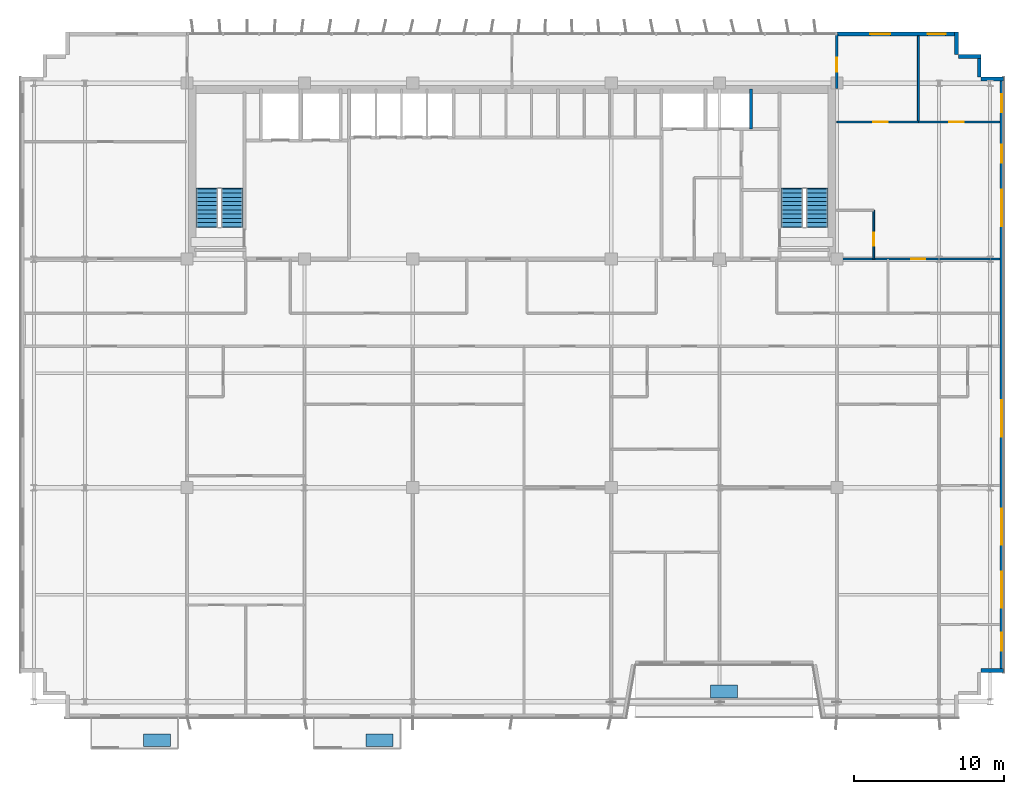
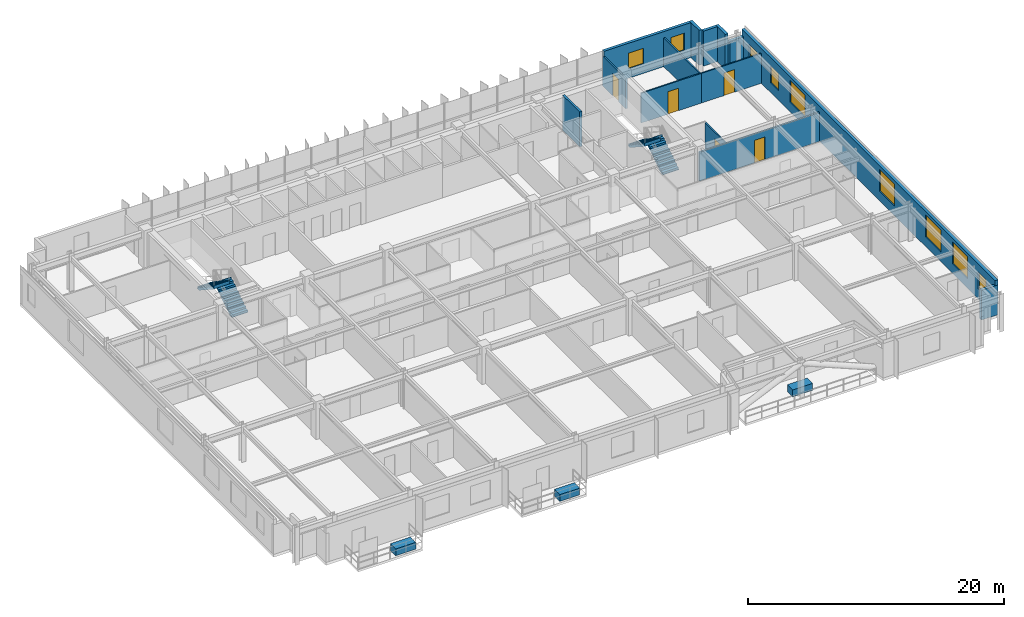
# One storey, part 19 of 22: 14 walls, 9 windows, 5 doors, 4 stair flights, 3 discrete accessories, 14 openings, 2 elements without a shape of their own.
"""IFC4 building model written with IfcOpenShell, lengths in metres."""

from ifc_helpers import new_model, si_unit, direction, frame, frame_2d, origin, origin_2d, place, context, subcontext, project, spatial, polyline, rectangle, outline, extrude, source, transform, mapped, material, layer, layer_set, type_object, element, fill, aggregate, save


model = new_model("IFC4")

# Units and contexts
model_context = context("Model", 3, precision=1e-05, world=origin(), true_north=direction((0.0, 1.0)))
body_context = subcontext(model_context, "Body", "Model", "MODEL_VIEW")
ifc_project = project(units=[si_unit("LENGTHUNIT", "METRE"), si_unit("AREAUNIT", "SQUARE_METRE"), si_unit("VOLUMEUNIT", "CUBIC_METRE"), si_unit("PLANEANGLEUNIT", "RADIAN"), si_unit("MASSUNIT", "GRAM", prefix="KILO")], contexts=[model_context])

# Site, building, storey
site_placement = place(None, origin())
site = spatial("IfcSite", under=ifc_project, at=site_placement, CompositionType="ELEMENT")
building_placement = place(site_placement, origin())
building = spatial("IfcBuilding", under=site, at=building_placement, Name="Trelvane Seafront Commons", CompositionType="ELEMENT")
storey_placement = place(building_placement, frame((0.0, 0.0, 121.300048828125)))
storey = spatial("IfcBuildingStorey", under=building, at=storey_placement, Name="L31", CompositionType="ELEMENT", Elevation=121.300048828125)

# Wall, openings, windows
ifc_material_1 = material(Name="Precast concrete C40/50", Category="concrete")
ifc_layer_1 = layer(ifc_material_1, 0.260009765625, Name="ARCH-WALL-EXT260")
ifc_layer_set_1 = layer_set([ifc_layer_1], Name="Precast concrete C40/50")
wall_type_1 = type_object("IfcWallType", Name="ARCH-WALL-EXT260", PredefinedType="SOLIDWALL", material=ifc_layer_set_1)
wall_1_placement = place(storey_placement, frame((58.800048828125, 48.3701171875, 0.0), z_axis=(0.0, 0.0, 1.0), x_axis=(1.0, 0.0, 0.0)))
wall_1 = element("IfcWall", 1, at=wall_1_placement, inside=storey, type_object=wall_type_1, Name="EW-L31-NE-0581", PredefinedType="SOLIDWALL", context=body_context, shape_type="SweptSolid", body=[
    extrude(rectangle(XDim=8.0, YDim=0.260009765625, at=frame_2d((4.0, 0.0))), origin(), (0.0, 0.0, 1.0), 3.33984375),
])
opening_1_placement = place(wall_1_placement, frame((2.208984375, 0.0, 0.89990234375)))
opening_1 = element("IfcOpeningElement", 2, at=opening_1_placement, cuts=wall_1, Name="Opening W09", PredefinedType="OPENING", context=body_context, shape_type="SweptSolid", body=[
    extrude(rectangle(XDim=1.35009765625, YDim=1.5, at=frame_2d((0.675048828125, 0.75))), frame((0.0, 0.139892578125, 0.0), z_axis=(0.0, -1.0, 0.0), x_axis=(1.0, 0.0, 0.0)), (0.0, 0.0, 1.0), 0.280029296875),
])
opening_2_placement = place(wall_1_placement, frame((6.032958984375, 0.0, 0.89990234375)))
opening_2 = element("IfcOpeningElement", 3, at=opening_2_placement, cuts=wall_1, Name="Opening W05", PredefinedType="OPENING", context=body_context, shape_type="SweptSolid", body=[
    extrude(rectangle(XDim=1.199951171875, YDim=1.64990234375, at=frame_2d((0.60009765625, 0.824951171875))), frame((0.0, 0.139892578125, 0.0), z_axis=(0.0, -1.0, 0.0), x_axis=(1.0, 0.0, 0.0)), (0.0, 0.0, 1.0), 0.280029296875),
])
ifc_material_2 = material(Name="Low-E coastal double glazing", Category="glass")
window_type_1 = type_object("IfcWindowType", Name="ARCH-WIN-W09", PartitioningType="SINGLE_PANEL", PredefinedType="WINDOW", material=ifc_material_2)
shared_shape_1 = source(origin(), body_context, "Body", "SweptSolid", [
    extrude(rectangle(XDim=1.35009765625, YDim=1.5, at=frame_2d((0.675048828125, 0.75))), frame((0.0, 0.030029296875, 0.0), z_axis=(0.0, -1.0, 0.0), x_axis=(1.0, 0.0, 0.0)), (0.0, 0.0, 1.0), 0.06005859375),
])
window_1_placement = place(opening_1_placement, origin())
window_1 = element("IfcWindow", 4, at=window_1_placement, inside=storey, type_object=window_type_1, Name="WIN-L31-00696", OverallHeight=1.5, OverallWidth=1.35009765625, PartitioningType="SINGLE_PANEL", PredefinedType="WINDOW", context=body_context, shape_type="MappedRepresentation", body=[
    mapped(shared_shape_1, transform((0.0, 0.0, 0.0), x_axis=(1.0, 0.0, 0.0), y_axis=(0.0, 1.0, 0.0), z_axis=(0.0, 0.0, 1.0), scale=1.0)),
])
fill(opening_1, window_1)
window_type_2 = type_object("IfcWindowType", Name="ARCH-WIN-W05", PartitioningType="SINGLE_PANEL", PredefinedType="WINDOW", material=ifc_material_2)
shared_shape_2 = source(origin(), body_context, "Body", "SweptSolid", [
    extrude(rectangle(XDim=1.199951171875, YDim=1.64990234375, at=frame_2d((0.60009765625, 0.824951171875))), frame((0.0, 0.030029296875, 0.0), z_axis=(0.0, -1.0, 0.0), x_axis=(1.0, 0.0, 0.0)), (0.0, 0.0, 1.0), 0.06005859375),
])
window_2_placement = place(opening_2_placement, origin())
window_2 = element("IfcWindow", 5, at=window_2_placement, inside=storey, type_object=window_type_2, Name="WIN-L31-00697", OverallHeight=1.64990234375, OverallWidth=1.199951171875, PartitioningType="SINGLE_PANEL", PredefinedType="WINDOW", context=body_context, shape_type="MappedRepresentation", body=[
    mapped(shared_shape_2, transform((0.0, 0.0, 0.0), x_axis=(1.0, 0.0, 0.0), y_axis=(0.0, 1.0, 0.0), z_axis=(0.0, 0.0, 1.0), scale=1.0)),
])
fill(opening_2, window_2)

# Walls
for number, where, z_axis, x_axis, name in (
    (6, (66.77001953125, 48.5, 0.0), (0.0, 0.0, 1.0), (0.0, -1.0, 0.0), "EW-L31-00590"),
    (7, (66.89990234375, 46.8701171875, 0.0), (0.0, 0.0, 1.0), (1.0, 0.0, 0.0), "EW-L31-00591"),
    (8, (68.27001953125, 47.0, 0.0), (0.0, 0.0, 1.0), (0.0, -1.0, 0.0), "EW-L31-00592"),
):
    element("IfcWall", number, at=place(storey_placement, frame(where, z_axis=z_axis, x_axis=x_axis)), inside=storey, type_object=wall_type_1, Name=name, PredefinedType="SOLIDWALL", context=body_context, shape_type="SweptSolid", body=[
        extrude(rectangle(XDim=1.5, YDim=0.260009765625, at=frame_2d((0.75, 0.0))), origin(), (0.0, 0.0, 1.0), 3.33984375),
    ])
wall_2_placement = place(storey_placement, frame((68.39990234375, 45.3701171875, 0.0), z_axis=(0.0, 0.0, 1.0), x_axis=(1.0, 0.0, 0.0)))
element("IfcWall", 9, at=wall_2_placement, inside=storey, type_object=wall_type_1, Name="EW-L31-00593", PredefinedType="SOLIDWALL", context=body_context, shape_type="SweptSolid", body=[
    extrude(rectangle(XDim=1.5, YDim=0.260009765625, at=frame_2d((0.75, 0.0))), origin(), (0.0, 0.0, 1.0), 2.751953125),
])

# Wall, openings, windows
wall_3_placement = place(storey_placement, frame((69.77001953125, 45.5, 0.0), z_axis=(0.0, 0.0, 1.0), x_axis=(0.0, -1.0, 0.0)))
wall_3 = element("IfcWall", 10, at=wall_3_placement, inside=storey, type_object=wall_type_1, Name="EW-L31-00594", PredefinedType="SOLIDWALL", context=body_context, shape_type="SweptSolid", body=[
    extrude(rectangle(XDim=39.60009765625, YDim=0.260009765625, at=frame_2d((19.800048828125, 0.0))), origin(), (0.0, 0.0, 1.0), 3.33984375),
])
opening_3_placement = place(wall_3_placement, frame((36.949951171875, 0.0, 0.919921875)))
opening_3 = element("IfcOpeningElement", 11, at=opening_3_placement, cuts=wall_3, Name="Opening W05", PredefinedType="OPENING", context=body_context, shape_type="SweptSolid", body=[
    extrude(rectangle(XDim=1.199951171875, YDim=1.64990234375, at=frame_2d((0.60009765625, 0.824951171875))), frame((0.0, 0.139892578125, 0.0), z_axis=(0.0, -1.0, 0.0), x_axis=(1.0, 0.0, 0.0)), (0.0, 0.0, 1.0), 0.280029296875),
])
opening_4_placement = place(wall_3_placement, frame((32.89990234375, 0.0, 0.919921875)))
opening_4 = element("IfcOpeningElement", 12, at=opening_4_placement, cuts=wall_3, Name="Opening W08", PredefinedType="OPENING", context=body_context, shape_type="SweptSolid", body=[
    extrude(rectangle(XDim=2.39990234375, YDim=2.10009765625, at=frame_2d((1.199951171875, 1.050048828125))), frame((0.0, 0.139892578125, 0.0), z_axis=(0.0, -1.0, 0.0), x_axis=(1.0, 0.0, 0.0)), (0.0, 0.0, 1.0), 0.280029296875),
])
opening_5_placement = place(wall_3_placement, frame((28.699951171875, 0.0, 0.919921875)))
opening_5 = element("IfcOpeningElement", 13, at=opening_5_placement, cuts=wall_3, Name="Opening W08", PredefinedType="OPENING", context=body_context, shape_type="SweptSolid", body=[
    extrude(rectangle(XDim=2.39990234375, YDim=2.10009765625, at=frame_2d((1.199951171875, 1.050048828125))), frame((0.0, 0.139892578125, 0.0), z_axis=(0.0, -1.0, 0.0), x_axis=(1.0, 0.0, 0.0)), (0.0, 0.0, 1.0), 0.280029296875),
])
opening_6_placement = place(wall_3_placement, frame((21.5, 0.0, 0.919921875)))
opening_6 = element("IfcOpeningElement", 14, at=opening_6_placement, cuts=wall_3, Name="Opening W08", PredefinedType="OPENING", context=body_context, shape_type="SweptSolid", body=[
    extrude(rectangle(XDim=2.39990234375, YDim=2.10009765625, at=frame_2d((1.199951171875, 1.050048828125))), frame((0.0, 0.139892578125, 0.0), z_axis=(0.0, -1.0, 0.0), x_axis=(1.0, 0.0, 0.0)), (0.0, 0.0, 1.0), 0.280029296875),
])
opening_7_placement = place(wall_3_placement, frame((7.5, 0.0, 0.919921875)))
opening_7 = element("IfcOpeningElement", 15, at=opening_7_placement, cuts=wall_3, Name="Opening W08", PredefinedType="OPENING", context=body_context, shape_type="SweptSolid", body=[
    extrude(rectangle(XDim=2.39990234375, YDim=2.10009765625, at=frame_2d((1.199951171875, 1.050048828125))), frame((0.0, 0.139892578125, 0.0), z_axis=(0.0, -1.0, 0.0), x_axis=(1.0, 0.0, 0.0)), (0.0, 0.0, 1.0), 0.280029296875),
])
opening_8_placement = place(wall_3_placement, frame((4.5, 0.0, 0.919921875)))
opening_8 = element("IfcOpeningElement", 16, at=opening_8_placement, cuts=wall_3, Name="Opening W05", PredefinedType="OPENING", context=body_context, shape_type="SweptSolid", body=[
    extrude(rectangle(XDim=1.199951171875, YDim=1.64990234375, at=frame_2d((0.60009765625, 0.824951171875))), frame((0.0, 0.139892578125, 0.0), z_axis=(0.0, -1.0, 0.0), x_axis=(1.0, 0.0, 0.0)), (0.0, 0.0, 1.0), 0.280029296875),
])
opening_9_placement = place(wall_3_placement, frame((1.14990234375, 0.0, 0.919921875)))
opening_9 = element("IfcOpeningElement", 17, at=opening_9_placement, cuts=wall_3, Name="Opening W05", PredefinedType="OPENING", context=body_context, shape_type="SweptSolid", body=[
    extrude(rectangle(XDim=1.199951171875, YDim=1.64990234375, at=frame_2d((0.60009765625, 0.824951171875))), frame((0.0, 0.139892578125, 0.0), z_axis=(0.0, -1.0, 0.0), x_axis=(1.0, 0.0, 0.0)), (0.0, 0.0, 1.0), 0.280029296875),
])
window_type_3 = type_object("IfcWindowType", Name="ARCH-WIN-W08", PartitioningType="SINGLE_PANEL", PredefinedType="WINDOW", material=ifc_material_2)
shared_shape_3 = source(origin(), body_context, "Body", "SweptSolid", [
    extrude(rectangle(XDim=2.39990234375, YDim=2.10009765625, at=frame_2d((1.199951171875, 1.050048828125))), frame((0.0, 0.030029296875, 0.0), z_axis=(0.0, -1.0, 0.0), x_axis=(1.0, 0.0, 0.0)), (0.0, 0.0, 1.0), 0.06005859375),
])
window_3_placement = place(opening_4_placement, origin())
window_3 = element("IfcWindow", 18, at=window_3_placement, inside=storey, type_object=window_type_3, Name="WIN-L31-EW-00705", OverallHeight=2.10009765625, OverallWidth=2.39990234375, PartitioningType="SINGLE_PANEL", PredefinedType="WINDOW", context=body_context, shape_type="MappedRepresentation", body=[
    mapped(shared_shape_3, transform((0.0, 0.0, 0.0), x_axis=(1.0, 0.0, 0.0), y_axis=(0.0, 1.0, 0.0), z_axis=(0.0, 0.0, 1.0), scale=1.0)),
])
fill(opening_4, window_3)
window_4_placement = place(opening_5_placement, origin())
window_4 = element("IfcWindow", 19, at=window_4_placement, inside=storey, type_object=window_type_3, Name="WIN-L31-EW-00706", OverallHeight=2.10009765625, OverallWidth=2.39990234375, PartitioningType="SINGLE_PANEL", PredefinedType="WINDOW", context=body_context, shape_type="MappedRepresentation", body=[
    mapped(shared_shape_3, transform((0.0, 0.0, 0.0), x_axis=(1.0, 0.0, 0.0), y_axis=(0.0, 1.0, 0.0), z_axis=(0.0, 0.0, 1.0), scale=1.0)),
])
fill(opening_5, window_4)
window_5_placement = place(opening_6_placement, origin())
window_5 = element("IfcWindow", 20, at=window_5_placement, inside=storey, type_object=window_type_3, Name="WIN-L31-EW-00707", OverallHeight=2.10009765625, OverallWidth=2.39990234375, PartitioningType="SINGLE_PANEL", PredefinedType="WINDOW", context=body_context, shape_type="MappedRepresentation", body=[
    mapped(shared_shape_3, transform((0.0, 0.0, 0.0), x_axis=(1.0, 0.0, 0.0), y_axis=(0.0, 1.0, 0.0), z_axis=(0.0, 0.0, 1.0), scale=1.0)),
])
fill(opening_6, window_5)
window_6_placement = place(opening_7_placement, origin())
window_6 = element("IfcWindow", 21, at=window_6_placement, inside=storey, type_object=window_type_3, Name="WIN-L31-EW-00708", OverallHeight=2.10009765625, OverallWidth=2.39990234375, PartitioningType="SINGLE_PANEL", PredefinedType="WINDOW", context=body_context, shape_type="MappedRepresentation", body=[
    mapped(shared_shape_3, transform((0.0, 0.0, 0.0), x_axis=(1.0, 0.0, 0.0), y_axis=(0.0, 1.0, 0.0), z_axis=(0.0, 0.0, 1.0), scale=1.0)),
])
fill(opening_7, window_6)
window_7_placement = place(opening_3_placement, origin())
window_7 = element("IfcWindow", 22, at=window_7_placement, inside=storey, type_object=window_type_2, Name="WIN-L31-EW-00704", OverallHeight=1.64990234375, OverallWidth=1.199951171875, PartitioningType="SINGLE_PANEL", PredefinedType="WINDOW", context=body_context, shape_type="MappedRepresentation", body=[
    mapped(shared_shape_2, transform((0.0, 0.0, 0.0), x_axis=(1.0, 0.0, 0.0), y_axis=(0.0, 1.0, 0.0), z_axis=(0.0, 0.0, 1.0), scale=1.0)),
])
fill(opening_3, window_7)
window_8_placement = place(opening_8_placement, origin())
window_8 = element("IfcWindow", 23, at=window_8_placement, inside=storey, type_object=window_type_2, Name="WIN-L31-EW-00709", OverallHeight=1.64990234375, OverallWidth=1.199951171875, PartitioningType="SINGLE_PANEL", PredefinedType="WINDOW", context=body_context, shape_type="MappedRepresentation", body=[
    mapped(shared_shape_2, transform((0.0, 0.0, 0.0), x_axis=(1.0, 0.0, 0.0), y_axis=(0.0, 1.0, 0.0), z_axis=(0.0, 0.0, 1.0), scale=1.0)),
])
fill(opening_8, window_8)
window_9_placement = place(opening_9_placement, origin())
window_9 = element("IfcWindow", 24, at=window_9_placement, inside=storey, type_object=window_type_2, Name="WIN-L31-EW-00710", OverallHeight=1.64990234375, OverallWidth=1.199951171875, PartitioningType="SINGLE_PANEL", PredefinedType="WINDOW", context=body_context, shape_type="MappedRepresentation", body=[
    mapped(shared_shape_2, transform((0.0, 0.0, 0.0), x_axis=(1.0, 0.0, 0.0), y_axis=(0.0, 1.0, 0.0), z_axis=(0.0, 0.0, 1.0), scale=1.0)),
])
fill(opening_9, window_9)

# Wall
wall_4_placement = place(storey_placement, frame((69.89990234375, 6.030029296875, 0.0), z_axis=(0.0, 0.0, 1.0), x_axis=(-1.0, 0.0, 0.0)))
element("IfcWall", 25, at=wall_4_placement, inside=storey, type_object=wall_type_1, Name="EW-L31-00595", PredefinedType="SOLIDWALL", context=body_context, shape_type="SweptSolid", body=[
    extrude(rectangle(XDim=1.5, YDim=0.260009765625, at=frame_2d((0.75, 0.0))), origin(), (0.0, 0.0, 1.0), 2.83984375),
])

# Wall, opening, door
ifc_material_3 = material(Name="Gypsum Drywall Acoustic Partition")
ifc_layer_2 = layer(ifc_material_3, 0.1201171875, Name="ARCH-WALL-PART120")
ifc_layer_set_2 = layer_set([ifc_layer_2], Name="Gypsum Drywall Acoustic Partition")
wall_type_2 = type_object("IfcWallType", Name="ARCH-WALL-PART120", PredefinedType="PARTITIONING", material=ifc_layer_set_2)
wall_5_placement = place(storey_placement, frame((61.25, 33.39990234375, 0.0), z_axis=(0.0, 0.0, 1.0), x_axis=(0.0, 1.0, 0.0)))
wall_5 = element("IfcWall", 26, at=wall_5_placement, inside=storey, type_object=wall_type_2, Name="W-L31-NE-BE-051", PredefinedType="PARTITIONING", context=body_context, shape_type="SweptSolid", body=[
    extrude(rectangle(XDim=3.25, YDim=0.1201171875, at=frame_2d((1.625, 0.0))), origin(), (0.0, 0.0, 1.0), 2.751953125),
])
opening_10_placement = place(wall_5_placement, frame((0.89990234375, 0.0, 0.0)))
opening_10 = element("IfcOpeningElement", 27, at=opening_10_placement, cuts=wall_5, Name="Opening D-L31-24", PredefinedType="OPENING", context=body_context, shape_type="SweptSolid", body=[
    extrude(rectangle(XDim=0.85009765625, YDim=2.10009765625, at=frame_2d((0.425048828125, 1.050048828125))), frame((0.0, 0.070068359375, 0.0), z_axis=(0.0, -1.0, 0.0), x_axis=(1.0, 0.0, 0.0)), (0.0, 0.0, 1.0), 0.14013671875),
])
ifc_material_4 = material(Name="Acoustic timber door leaf", Category="wood")
door_type_1 = type_object("IfcDoorType", Name="ARCH-DR-INT850", OperationType="NOTDEFINED", PredefinedType="DOOR", material=ifc_material_4)
shared_shape_4 = source(origin(), body_context, "Body", "SweptSolid", [
    extrude(rectangle(XDim=0.85009765625, YDim=2.10009765625, at=frame_2d((0.425048828125, 1.050048828125))), frame((0.0, 0.02490234375, 0.0), z_axis=(0.0, -1.0, 0.0), x_axis=(1.0, 0.0, 0.0)), (0.0, 0.0, 1.0), 0.050048828125),
])
door_1_placement = place(opening_10_placement, origin())
door_1 = element("IfcDoor", 28, at=door_1_placement, inside=storey, type_object=door_type_1, Name="L31 Door 24", OperationType="SINGLE_SWING_RIGHT", OverallHeight=2.10009765625, OverallWidth=0.85009765625, PredefinedType="DOOR", context=body_context, shape_type="MappedRepresentation", body=[
    mapped(shared_shape_4, transform((0.0, 0.0, 0.0), x_axis=(1.0, 0.0, 0.0), y_axis=(0.0, 1.0, 0.0), z_axis=(0.0, 0.0, 1.0), scale=1.0)),
])
fill(opening_10, door_1)

wall_6_placement = place(storey_placement, frame((58.800048828125, 42.52001953125, 0.0), z_axis=(0.0, 0.0, 1.0), x_axis=(1.0, 0.0, 0.0)))
wall_6 = element("IfcWall", 29, at=wall_6_placement, inside=storey, type_object=wall_type_2, Name="W-L31-NE-KB1-053", PredefinedType="PARTITIONING", context=body_context, shape_type="SweptSolid", body=[
    extrude(rectangle(XDim=5.425048828125, YDim=0.1201171875, at=frame_2d((2.71240234375, 0.0))), origin(), (0.0, 0.0, 1.0), 2.83984375),
])
opening_11_placement = place(wall_6_placement, frame((2.423095703125, 0.0, 0.0)))
opening_11 = element("IfcOpeningElement", 30, at=opening_11_placement, cuts=wall_6, Name="Opening D-L31-25", PredefinedType="OPENING", context=body_context, shape_type="SweptSolid", body=[
    extrude(rectangle(XDim=0.949951171875, YDim=2.14990234375, at=frame_2d((0.47509765625, 1.074951171875))), frame((0.0, 0.070068359375, 0.0), z_axis=(0.0, -1.0, 0.0), x_axis=(1.0, 0.0, 0.0)), (0.0, 0.0, 1.0), 0.14013671875),
])
door_type_2 = type_object("IfcDoorType", Name="ARCH-DR-INT950", OperationType="NOTDEFINED", PredefinedType="DOOR", material=ifc_material_4)
shared_shape_5 = source(origin(), body_context, "Body", "SweptSolid", [
    extrude(rectangle(XDim=0.949951171875, YDim=2.14990234375, at=frame_2d((0.47509765625, 1.074951171875))), frame((0.0, 0.02490234375, 0.0), z_axis=(0.0, -1.0, 0.0), x_axis=(1.0, 0.0, 0.0)), (0.0, 0.0, 1.0), 0.050048828125),
])
door_2_placement = place(opening_11_placement, origin())
door_2 = element("IfcDoor", 31, at=door_2_placement, inside=storey, type_object=door_type_2, Name="L31 Door 25", OperationType="SINGLE_SWING_LEFT", OverallHeight=2.14990234375, OverallWidth=0.949951171875, PredefinedType="DOOR", context=body_context, shape_type="MappedRepresentation", body=[
    mapped(shared_shape_5, transform((0.0, 0.0, 0.0), x_axis=(1.0, 0.0, 0.0), y_axis=(0.0, 1.0, 0.0), z_axis=(0.0, 0.0, 1.0), scale=1.0)),
])
fill(opening_11, door_2)

wall_7_placement = place(storey_placement, frame((64.22509765625, 42.52001953125, 0.0), z_axis=(0.0, 0.0, 1.0), x_axis=(1.0, 0.0, 0.0)))
wall_7 = element("IfcWall", 32, at=wall_7_placement, inside=storey, type_object=wall_type_2, Name="W-L31-NE-KB2-054", PredefinedType="PARTITIONING", context=body_context, shape_type="SweptSolid", body=[
    extrude(rectangle(XDim=5.4248046875, YDim=0.1201171875, at=frame_2d((2.71240234375, 0.0))), origin(), (0.0, 0.0, 1.0), 2.83984375),
])
opening_12_placement = place(wall_7_placement, frame((2.052001953125, 0.0, 0.0)))
opening_12 = element("IfcOpeningElement", 33, at=opening_12_placement, cuts=wall_7, Name="Opening D-L31-26", PredefinedType="OPENING", context=body_context, shape_type="SweptSolid", body=[
    extrude(rectangle(XDim=0.949951171875, YDim=2.14990234375, at=frame_2d((0.47509765625, 1.074951171875))), frame((0.0, 0.070068359375, 0.0), z_axis=(0.0, -1.0, 0.0), x_axis=(1.0, 0.0, 0.0)), (0.0, 0.0, 1.0), 0.14013671875),
])
door_3_placement = place(opening_12_placement, origin())
door_3 = element("IfcDoor", 34, at=door_3_placement, inside=storey, type_object=door_type_2, Name="L31 Door 26", OperationType="SINGLE_SWING_RIGHT", OverallHeight=2.14990234375, OverallWidth=0.949951171875, PredefinedType="DOOR", context=body_context, shape_type="MappedRepresentation", body=[
    mapped(shared_shape_5, transform((0.0, 0.0, 0.0), x_axis=(1.0, 0.0, 0.0), y_axis=(0.0, 1.0, 0.0), z_axis=(0.0, 0.0, 1.0), scale=1.0)),
])
fill(opening_12, door_3)

# Wall
wall_8_placement = place(storey_placement, frame((64.22509765625, 42.52001953125, 0.0), z_axis=(0.0, 0.0, 1.0), x_axis=(0.0, 1.0, 0.0)))
element("IfcWall", 35, at=wall_8_placement, inside=storey, type_object=wall_type_2, Name="W-L31-NE-KBDV-055", PredefinedType="PARTITIONING", context=body_context, shape_type="SweptSolid", body=[
    extrude(rectangle(XDim=5.719970703125, YDim=0.1201171875, at=frame_2d((2.85986328125, 0.0))), origin(), (0.0, 0.0, 1.0), 2.751953125),
])

# Wall, opening, door
ifc_layer_3 = layer(ifc_material_3, 0.14990234375, Name="ARCH-WALL-PART150")
ifc_layer_set_3 = layer_set([ifc_layer_3], Name="Gypsum Drywall Acoustic Partition")
wall_type_3 = type_object("IfcWallType", Name="ARCH-WALL-PART150", PredefinedType="PARTITIONING", material=ifc_layer_set_3)
wall_9_placement = place(storey_placement, frame((58.800048828125, 33.39990234375, 0.0), z_axis=(0.0, 0.0, 1.0), x_axis=(1.0, 0.0, 0.0)))
wall_9 = element("IfcWall", 36, at=wall_9_placement, inside=storey, type_object=wall_type_3, Name="W-L31-NE-ENT-056", PredefinedType="PARTITIONING", context=body_context, shape_type="SweptSolid", body=[
    extrude(rectangle(XDim=10.849853515625, YDim=0.14990234375, at=frame_2d((5.4248046875, 0.0))), origin(), (0.0, 0.0, 1.0), 2.751953125),
])
opening_13_placement = place(wall_9_placement, frame((4.93310546875, 0.0, 0.0)))
opening_13 = element("IfcOpeningElement", 37, at=opening_13_placement, cuts=wall_9, Name="Opening FD-L31-27", PredefinedType="OPENING", context=body_context, shape_type="SweptSolid", body=[
    extrude(rectangle(XDim=0.949951171875, YDim=2.14990234375, at=frame_2d((0.47509765625, 1.074951171875))), frame((0.0, 0.0849609375, 0.0), z_axis=(0.0, -1.0, 0.0), x_axis=(1.0, 0.0, 0.0)), (0.0, 0.0, 1.0), 0.169921875),
])
ifc_material_5 = material(Name="Powder-coated aluminium frame", Category="aluminium")
door_type_3 = type_object("IfcDoorType", Name="ARCH-DR-FD60-950", OperationType="NOTDEFINED", PredefinedType="DOOR", material=ifc_material_5)
door_4_placement = place(opening_13_placement, origin())
door_4 = element("IfcDoor", 38, at=door_4_placement, inside=storey, type_object=door_type_3, Name="L31 NE Flat Entrance Door", OperationType="SINGLE_SWING_LEFT", OverallHeight=2.14990234375, OverallWidth=0.949951171875, PredefinedType="DOOR", context=body_context, shape_type="MappedRepresentation", body=[
    mapped(shared_shape_5, transform((0.0, 0.0, 0.0), x_axis=(1.0, 0.0, 0.0), y_axis=(0.0, 1.0, 0.0), z_axis=(0.0, 0.0, 1.0), scale=1.0)),
])
fill(opening_13, door_4)

wall_10_placement = place(storey_placement, frame((58.800048828125, 44.75, 0.0), z_axis=(0.0, 0.0, 1.0), x_axis=(0.0, 1.0, 0.0)))
wall_10 = element("IfcWall", 39, at=wall_10_placement, inside=storey, type_object=wall_type_3, Name="W-L31-N-LINK-E-059", PredefinedType="PARTITIONING", context=body_context, shape_type="SweptSolid", body=[
    extrude(rectangle(XDim=3.610107421875, YDim=0.14990234375, at=frame_2d((1.80517578125, 0.0))), origin(), (0.0, 0.0, 1.0), 2.83984375),
])
opening_14_placement = place(wall_10_placement, frame((1.10009765625, 0.0, 0.0)))
opening_14 = element("IfcOpeningElement", 40, at=opening_14_placement, cuts=wall_10, Name="Opening FD-L31-30", PredefinedType="OPENING", context=body_context, shape_type="SweptSolid", body=[
    extrude(rectangle(XDim=0.949951171875, YDim=2.14990234375, at=frame_2d((0.47509765625, 1.074951171875))), frame((0.0, 0.0849609375, 0.0), z_axis=(0.0, -1.0, 0.0), x_axis=(1.0, 0.0, 0.0)), (0.0, 0.0, 1.0), 0.169921875),
])
door_5_placement = place(opening_14_placement, origin())
door_5 = element("IfcDoor", 41, at=door_5_placement, inside=storey, type_object=door_type_3, Name="L31 Door 30", OperationType="SINGLE_SWING_RIGHT", OverallHeight=2.14990234375, OverallWidth=0.949951171875, PredefinedType="DOOR", context=body_context, shape_type="MappedRepresentation", body=[
    mapped(shared_shape_5, transform((0.0, 0.0, 0.0), x_axis=(1.0, 0.0, 0.0), y_axis=(0.0, 1.0, 0.0), z_axis=(0.0, 0.0, 1.0), scale=1.0)),
])
fill(opening_14, door_5)

# Wall
ifc_material_6 = material(Name="Concrete C40/50", Category="concrete")
ifc_layer_4 = layer(ifc_material_6, 0.199951171875, Name="ARCH-WALL-SHAFT200")
ifc_layer_set_4 = layer_set([ifc_layer_4], Name="Concrete C40/50")
wall_type_4 = type_object("IfcWallType", Name="ARCH-WALL-SHAFT200", PredefinedType="SOLIDWALL", material=ifc_layer_set_4)
wall_11_placement = place(storey_placement, frame((53.10009765625, 42.050048828125, 0.0), z_axis=(0.0, 0.0, 1.0), x_axis=(0.0, 1.0, 0.0)))
element("IfcWall", 42, at=wall_11_placement, inside=storey, type_object=wall_type_4, Name="W-L31-RSR-E-032", PredefinedType="SOLIDWALL", context=body_context, shape_type="SweptSolid", body=[
    extrude(rectangle(XDim=2.64990234375, YDim=0.199951171875, at=frame_2d((1.324951171875, 0.0))), origin(), (0.0, 0.0, 1.0), 3.33984375),
])

# Stair, stair flights
stair_type_1 = type_object("IfcStairType", Name="ARCH-STR-ST-1-R20-180", PredefinedType="HALF_TURN_STAIR", material=ifc_material_6)
stair_1_placement = place(storey_placement, origin())
stair_1 = element("IfcStair", 43, at=stair_1_placement, inside=storey, type_object=stair_type_1, Name="L31 West Protected Firefighting Exit Stair ST-1", PredefinedType="HALF_TURN_STAIR")
stair_flight_type_1 = type_object("IfcStairFlightType", Name="ARCH-FLG-ST-1-R20-180", PredefinedType="STRAIGHT", material=ifc_material_6)
shared_shape_6 = source(origin(), body_context, "Body", "SweptSolid", [
    extrude(outline(polyline([(-0.050048828125, -0.02001953125), (-0.050048828125, 0.0), (0.0, 0.0), (0.0, 0.179931640625), (0.280029296875, 0.179931640625), (0.280029296875, 0.360107421875), (0.56005859375, 0.360107421875), (0.56005859375, 0.5400390625), (0.840087890625, 0.5400390625), (0.840087890625, 0.719970703125), (1.1201171875, 0.719970703125), (1.1201171875, 0.89990234375), (1.39990234375, 0.89990234375), (1.39990234375, 1.080078125), (1.679931640625, 1.080078125), (1.679931640625, 1.260009765625), (1.9599609375, 1.260009765625), (1.9599609375, 1.43994140625), (2.239990234375, 1.43994140625), (2.239990234375, 1.6201171875), (2.52001953125, 1.6201171875), (2.52001953125, 1.800048828125), (2.570068359375, 1.800048828125), (2.570068359375, 1.650146484375), (2.52001953125, 1.44189453125), (0.277099609375, -0.02001953125), (-0.050048828125, -0.02001953125)])), frame((0.0, 0.72509765625, 0.0), z_axis=(0.0, -1.0, 0.0), x_axis=(1.0, 0.0, 0.0)), (0.0, 0.0, 1.0), 1.449951171875),
])
stair_flight_1_placement = place(storey_placement, frame((18.574951171875, 35.550048828125, 0.0), z_axis=(0.0, 0.0, 1.0), x_axis=(0.0, 1.0, 0.0)))
stair_flight_1 = element("IfcStairFlight", 44, at=stair_flight_1_placement, type_object=stair_flight_type_1, Name="ST-1 flight 1", NumberOfRisers=10, NumberOfTreads=9, PredefinedType="STRAIGHT", RiserHeight=0.18, TreadLength=0.28, context=body_context, shape_type="MappedRepresentation", body=[
    mapped(shared_shape_6, transform((0.0, 0.0, 0.0), x_axis=(1.0, 0.0, 0.0), y_axis=(0.0, 1.0, 0.0), z_axis=(0.0, 0.0, 1.0), scale=1.0)),
])
stair_flight_2_placement = place(storey_placement, frame((16.925048828125, 38.070068359375, 1.800048828125), z_axis=(0.0, 0.0, 1.0), x_axis=(0.0, -1.0, 0.0)))
stair_flight_2 = element("IfcStairFlight", 45, at=stair_flight_2_placement, type_object=stair_flight_type_1, Name="ST-1 flight 2", NumberOfRisers=10, NumberOfTreads=9, PredefinedType="STRAIGHT", RiserHeight=0.18, TreadLength=0.28, context=body_context, shape_type="MappedRepresentation", body=[
    mapped(shared_shape_6, transform((0.0, 0.0, 0.0), x_axis=(1.0, 0.0, 0.0), y_axis=(0.0, 1.0, 0.0), z_axis=(0.0, 0.0, 1.0), scale=1.0)),
])
aggregate(stair_1, [stair_flight_1, stair_flight_2])

stair_type_2 = type_object("IfcStairType", Name="ARCH-STR-ST-2-R20-180", PredefinedType="HALF_TURN_STAIR", material=ifc_material_6)
stair_2_placement = place(storey_placement, origin())
stair_2 = element("IfcStair", 46, at=stair_2_placement, inside=storey, type_object=stair_type_2, Name="L31 East Protected Firefighting Exit Stair ST-2", PredefinedType="HALF_TURN_STAIR")
stair_flight_type_2 = type_object("IfcStairFlightType", Name="ARCH-FLG-ST-2-R20-180", PredefinedType="STRAIGHT", material=ifc_material_6)
stair_flight_3_placement = place(storey_placement, frame((57.47509765625, 35.550048828125, 0.0), z_axis=(0.0, 0.0, 1.0), x_axis=(0.0, 1.0, 0.0)))
stair_flight_3 = element("IfcStairFlight", 47, at=stair_flight_3_placement, type_object=stair_flight_type_2, Name="ST-2 flight 1", NumberOfRisers=10, NumberOfTreads=9, PredefinedType="STRAIGHT", RiserHeight=0.18, TreadLength=0.28, context=body_context, shape_type="MappedRepresentation", body=[
    mapped(shared_shape_6, transform((0.0, 0.0, 0.0), x_axis=(1.0, 0.0, 0.0), y_axis=(0.0, 1.0, 0.0), z_axis=(0.0, 0.0, 1.0), scale=1.0)),
])
stair_flight_4_placement = place(storey_placement, frame((55.824951171875, 38.070068359375, 1.800048828125), z_axis=(0.0, 0.0, 1.0), x_axis=(0.0, -1.0, 0.0)))
stair_flight_4 = element("IfcStairFlight", 48, at=stair_flight_4_placement, type_object=stair_flight_type_2, Name="ST-2 flight 2", NumberOfRisers=10, NumberOfTreads=9, PredefinedType="STRAIGHT", RiserHeight=0.18, TreadLength=0.28, context=body_context, shape_type="MappedRepresentation", body=[
    mapped(shared_shape_6, transform((0.0, 0.0, 0.0), x_axis=(1.0, 0.0, 0.0), y_axis=(0.0, 1.0, 0.0), z_axis=(0.0, 0.0, 1.0), scale=1.0)),
])
aggregate(stair_2, [stair_flight_3, stair_flight_4])

# Discrete accessories
discrete_accessory_type = type_object("IfcDiscreteAccessoryType", Name="ARCH-ACC-PLANTER", PredefinedType="USERDEFINED", material=ifc_material_1)
shared_shape_7 = source(origin(), body_context, "Body", "SweptSolid", [
    extrude(rectangle(XDim=1.800048828125, YDim=0.85009765625, at=origin_2d()), origin(), (0.0, 0.0, 1.0), 0.64990234375),
])
for number, where, z_axis, x_axis, name in (
    (49, (51.300048828125, 4.64990234375, 0.0), (0.0, 0.0, 1.0), (1.0, 0.0, 0.0), "PLN-L31-TR0-035"),
    (50, (13.60009765625, 1.39990234375, 0.0), (0.0, 0.0, 1.0), (1.0, 0.0, 0.0), "PLN-L31-B0-036"),
    (51, (28.39990234375, 1.39990234375, 0.0), (0.0, 0.0, 1.0), (1.0, 0.0, 0.0), "PLN-L31-B1-037"),
):
    element("IfcDiscreteAccessory", number, at=place(storey_placement, frame(where, z_axis=z_axis, x_axis=x_axis)), inside=storey, type_object=discrete_accessory_type, Name=name, ObjectType="BALCONY TREE PLANTER", PredefinedType="USERDEFINED", context=body_context, shape_type="MappedRepresentation", body=[
        mapped(shared_shape_7, transform((0.0, 0.0, 0.0), x_axis=(1.0, 0.0, 0.0), y_axis=(0.0, 1.0, 0.0), z_axis=(0.0, 0.0, 1.0), scale=1.0)),
    ])

save(model, "model.ifc")
